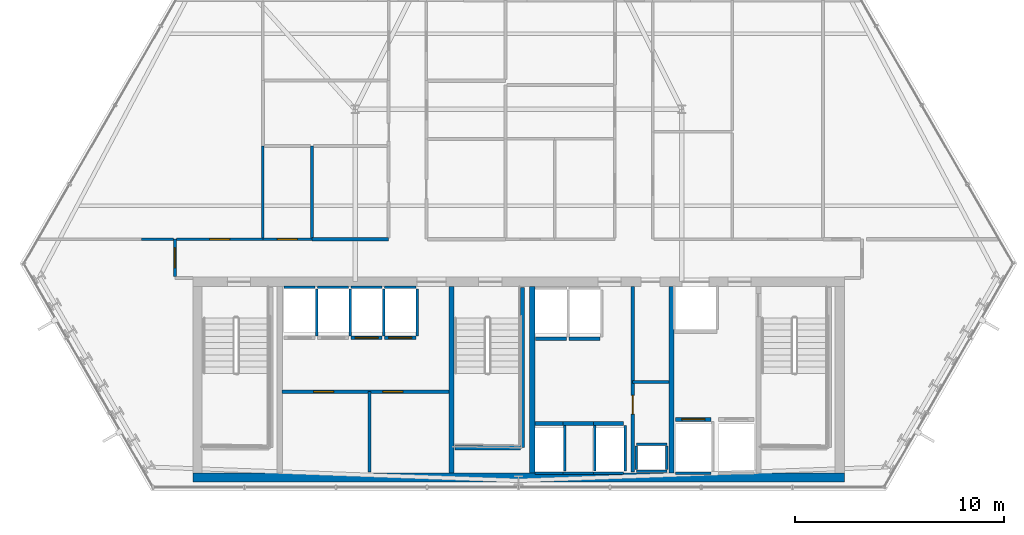
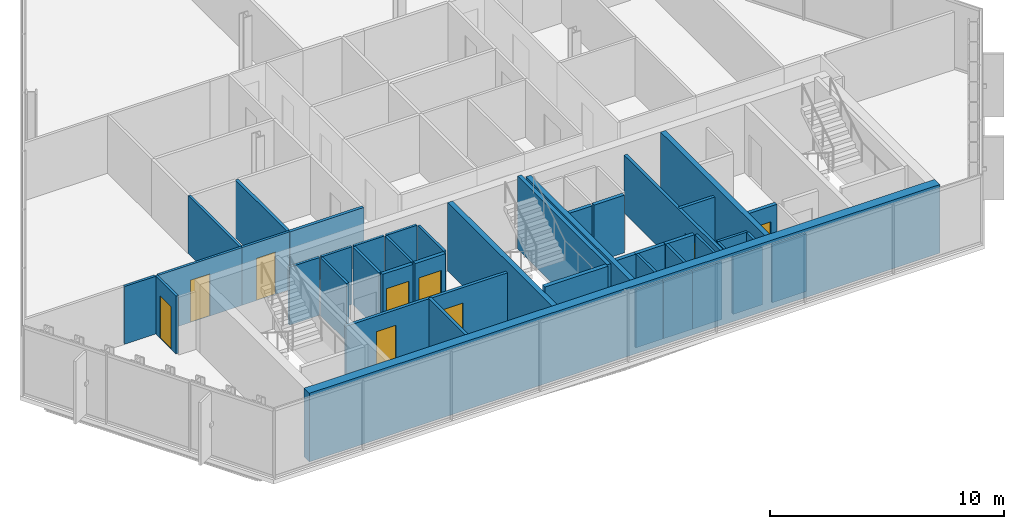
# One storey, part 25 of 32: 44 walls, 9 doors, 9 openings.
"""IFC4 building model written with IfcOpenShell, lengths in metres."""

from ifc_helpers import new_model, si_unit, direction, frame, frame_2d, origin, place, context, subcontext, project, spatial, rectangle, extrude, material, layer, layer_set, type_object, element, fill, save


model = new_model("IFC4")

# Units and contexts
model_context = context("Model", 3, precision=1e-05, world=origin(), true_north=direction((0.0, 1.0)))
body_context = subcontext(model_context, "Body", "Model", "MODEL_VIEW")
ifc_project = project(units=[si_unit("LENGTHUNIT", "METRE"), si_unit("AREAUNIT", "SQUARE_METRE"), si_unit("VOLUMEUNIT", "CUBIC_METRE"), si_unit("PLANEANGLEUNIT", "RADIAN"), si_unit("MASSUNIT", "GRAM", prefix="KILO")], contexts=[model_context])

# Site, building, storey
site_placement = place(None, origin())
site = spatial("IfcSite", under=ifc_project, at=site_placement, CompositionType="ELEMENT")
building_placement = place(site_placement, origin())
building = spatial("IfcBuilding", under=site, at=building_placement, Name="Ndaravel Arena Tower", CompositionType="ELEMENT")
storey_placement = place(building_placement, frame((0.0, 0.0, 130.800048828125)))
storey = spatial("IfcBuildingStorey", under=building, at=storey_placement, Name="L30", CompositionType="ELEMENT", Elevation=130.800048828125)

# Wall, opening, door
ifc_material_1 = material(Name="Gypsum", Category="gypsum")
ifc_layer_1 = layer(ifc_material_1, 0.14990234375)
ifc_layer_set_1 = layer_set([ifc_layer_1], Name="Gypsum")
wall_type_1 = type_object("IfcWallType", Name="WALL-COMP-150", PredefinedType="PARTITIONING", material=ifc_layer_set_1)
wall_1_placement = place(storey_placement, frame((47.449951171875, 5.89990234375, 0.0), z_axis=(0.0, 0.0, 1.0), x_axis=(0.0, 1.0, 0.0)))
wall_1 = element("IfcWall", 1, at=wall_1_placement, inside=storey, type_object=wall_type_1, Name="L30 Core Riser Bay Partition", PredefinedType="PARTITIONING", context=body_context, shape_type="SweptSolid", body=[
    extrude(rectangle(XDim=8.85009765625, YDim=0.14990234375, at=frame_2d((4.425048828125, 0.0))), origin(), (0.0, 0.0, 1.0), 3.010498046875),
])
opening_1_placement = place(wall_1_placement, frame((2.75, 0.0, 0.0)))
opening_1 = element("IfcOpeningElement", 2, at=opening_1_placement, cuts=wall_1, Name="Opening RD-01", PredefinedType="OPENING", context=body_context, shape_type="SweptSolid", body=[
    extrude(rectangle(XDim=0.89990234375, YDim=2.10009765625, at=frame_2d((0.449951171875, 1.050048828125))), frame((0.0, 0.074951171875, 0.0), z_axis=(0.0, -1.0, 0.0), x_axis=(1.0, 0.0, 0.0)), (0.0, 0.0, 1.0), 0.14990234375),
])
ifc_material_2 = material(Name="Steel S355", Category="steel")
door_type_1 = type_object("IfcDoorType", Name="DT-08-RISER-900", OperationType="SINGLE_SWING_LEFT", PredefinedType="DOOR", material=ifc_material_2)
door_1_placement = place(opening_1_placement, origin())
door_1 = element("IfcDoor", 3, at=door_1_placement, inside=storey, type_object=door_type_1, Name="L30 Electrical Riser Door", OperationType="SINGLE_SWING_RIGHT", OverallHeight=2.10009765625, OverallWidth=0.89990234375, PredefinedType="DOOR", context=body_context, shape_type="SweptSolid", body=[
    extrude(rectangle(XDim=0.89990234375, YDim=2.10009765625, at=frame_2d((0.449951171875, 1.050048828125))), frame((0.0, 0.02490234375, 0.0), z_axis=(0.0, -1.0, 0.0), x_axis=(1.0, 0.0, 0.0)), (0.0, 0.0, 1.0), 0.050048828125),
])
fill(opening_1, door_1)

# Wall
wall_2_placement = place(storey_placement, frame((47.449951171875, 10.179931640625, 0.0), z_axis=(0.0, 0.0, 1.0), x_axis=(1.0, 0.0, 0.0)))
element("IfcWall", 4, at=wall_2_placement, inside=storey, type_object=wall_type_1, Name="L30 Core Riser Divider 1", PredefinedType="PARTITIONING", context=body_context, shape_type="SweptSolid", body=[
    extrude(rectangle(XDim=1.72998046875, YDim=0.14990234375, at=frame_2d((0.864990234375, 0.0))), origin(), (0.0, 0.0, 1.0), 3.010498046875),
])

# Wall, openings, doors
wall_3_placement = place(storey_placement, frame((30.719970703125, 9.719970703125, 0.0), z_axis=(0.0, 0.0, 1.0), x_axis=(1.0, 0.0, 0.0)))
wall_3 = element("IfcWall", 5, at=wall_3_placement, inside=storey, type_object=wall_type_1, Name="L30 Reclaimed Shaft Partition", PredefinedType="PARTITIONING", context=body_context, shape_type="SweptSolid", body=[
    extrude(rectangle(XDim=7.9599609375, YDim=0.14990234375, at=frame_2d((3.97998046875, 0.0))), origin(), (0.0, 0.0, 1.0), 3.010498046875),
])
opening_2_placement = place(wall_3_placement, frame((1.5, 0.0, 0.0)))
opening_2 = element("IfcOpeningElement", 6, at=opening_2_placement, cuts=wall_3, Name="Opening FD-03", PredefinedType="OPENING", context=body_context, shape_type="SweptSolid", body=[
    extrude(rectangle(XDim=0.949951171875, YDim=2.199951171875, at=frame_2d((0.47509765625, 1.10009765625))), frame((0.0, 0.074951171875, 0.0), z_axis=(0.0, -1.0, 0.0), x_axis=(1.0, 0.0, 0.0)), (0.0, 0.0, 1.0), 0.14990234375),
])
opening_3_placement = place(wall_3_placement, frame((4.81005859375, 0.0, 0.0)))
opening_3 = element("IfcOpeningElement", 7, at=opening_3_placement, cuts=wall_3, Name="Opening FD-03", PredefinedType="OPENING", context=body_context, shape_type="SweptSolid", body=[
    extrude(rectangle(XDim=0.949951171875, YDim=2.199951171875, at=frame_2d((0.47509765625, 1.10009765625))), frame((0.0, 0.074951171875, 0.0), z_axis=(0.0, -1.0, 0.0), x_axis=(1.0, 0.0, 0.0)), (0.0, 0.0, 1.0), 0.14990234375),
])
ifc_material_3 = material(Name="Steel S355", Category="steel")
door_type_2 = type_object("IfcDoorType", Name="DT-11-CORE-950", OperationType="SINGLE_SWING_LEFT", PredefinedType="DOOR", material=ifc_material_3)
door_2_placement = place(opening_2_placement, origin())
door_2 = element("IfcDoor", 8, at=door_2_placement, inside=storey, type_object=door_type_2, Name="L30 ICT Server Room Door", OperationType="SINGLE_SWING_LEFT", OverallHeight=2.199951171875, OverallWidth=0.949951171875, PredefinedType="DOOR", context=body_context, shape_type="SweptSolid", body=[
    extrude(rectangle(XDim=0.949951171875, YDim=2.199951171875, at=frame_2d((0.47509765625, 1.10009765625))), frame((0.0, 0.02490234375, 0.0), z_axis=(0.0, -1.0, 0.0), x_axis=(1.0, 0.0, 0.0)), (0.0, 0.0, 1.0), 0.050048828125),
])
fill(opening_2, door_2)
door_3_placement = place(opening_3_placement, origin())
door_3 = element("IfcDoor", 9, at=door_3_placement, inside=storey, type_object=door_type_2, Name="L30 Core Archive Room Door", OperationType="SINGLE_SWING_RIGHT", OverallHeight=2.199951171875, OverallWidth=0.949951171875, PredefinedType="DOOR", context=body_context, shape_type="SweptSolid", body=[
    extrude(rectangle(XDim=0.949951171875, YDim=2.199951171875, at=frame_2d((0.47509765625, 1.10009765625))), frame((0.0, 0.02490234375, 0.0), z_axis=(0.0, -1.0, 0.0), x_axis=(1.0, 0.0, 0.0)), (0.0, 0.0, 1.0), 0.050048828125),
])
fill(opening_3, door_3)

# Walls
wall_4_placement = place(storey_placement, frame((34.8798828125, 5.89990234375, 0.0), z_axis=(0.0, 0.0, 1.0), x_axis=(0.0, 1.0, 0.0)))
element("IfcWall", 10, at=wall_4_placement, inside=storey, type_object=wall_type_1, Name="L30 Reclaimed Bay Divider", PredefinedType="PARTITIONING", context=body_context, shape_type="SweptSolid", body=[
    extrude(rectangle(XDim=3.820068359375, YDim=0.14990234375, at=frame_2d((1.91015625, 0.0))), origin(), (0.0, 0.0, 1.0), 3.010498046875),
])
ifc_material_4 = material(Name="Concrete C60/75", Category="concrete")
ifc_layer_2 = layer(ifc_material_4, 0.25)
ifc_layer_set_2 = layer_set([ifc_layer_2], Name="Concrete C60/75")
wall_type_2 = type_object("IfcWallType", Name="WALL-CORE-250", PredefinedType="SOLIDWALL", material=ifc_layer_set_2)
for number, where, z_axis, x_axis, name in (
    (11, (38.800048828125, 5.85009765625, 0.0), (0.0, 0.0, 1.0), (0.0, 1.0, 0.0), "L30 Core Web Shear Wall 2"),
    (12, (42.64990234375, 5.85009765625, 0.0), (0.0, 0.0, 1.0), (0.0, 1.0, 0.0), "L30 Core Web Shear Wall 3"),
    (13, (49.300048828125, 5.85009765625, 0.0), (0.0, 0.0, 1.0), (0.0, 1.0, 0.0), "L30 Core Web Shear Wall 4"),
):
    element("IfcWall", number, at=place(storey_placement, frame(where, z_axis=z_axis, x_axis=x_axis)), inside=storey, type_object=wall_type_2, Name=name, PredefinedType="SOLIDWALL", context=body_context, shape_type="SweptSolid", body=[
        extrude(rectangle(XDim=8.89990234375, YDim=0.25, at=frame_2d((4.449951171875, 0.0))), origin(), (0.0, 0.0, 1.0), 3.579833984375),
    ])
ifc_material_5 = material(Name="Concrete C60/75", Category="concrete")
ifc_layer_3 = layer(ifc_material_5, 0.449951171875)
ifc_layer_set_3 = layer_set([ifc_layer_3], Name="Concrete C60/75")
wall_type_3 = type_object("IfcWallType", Name="WALL-CORE-450", PredefinedType="SOLIDWALL", material=ifc_layer_set_3)
wall_5_placement = place(storey_placement, frame((26.449951171875, 5.625, 0.0), z_axis=(0.0, 0.0, 1.0), x_axis=(1.0, 0.0, 0.0)))
element("IfcWall", 14, at=wall_5_placement, inside=storey, type_object=wall_type_3, Name="L30 Core South Shear Wall", PredefinedType="SOLIDWALL", context=body_context, shape_type="SweptSolid", body=[
    extrude(rectangle(XDim=31.10009765625, YDim=0.449951171875, at=frame_2d((15.550048828125, 0.0))), origin(), (0.0, 0.0, 1.0), 3.579833984375),
])

# Wall, opening, door
ifc_material_6 = material(Name="Gypsum", Category="gypsum")
ifc_layer_4 = layer(ifc_material_6, 0.125)
ifc_layer_set_4 = layer_set([ifc_layer_4], Name="Gypsum")
wall_type_4 = type_object("IfcWallType", Name="WALL-PART-125", PredefinedType="PARTITIONING", material=ifc_layer_set_4)
wall_6_placement = place(storey_placement, frame((25.60009765625, 15.215087890625, 0.0), z_axis=(0.0, 0.0, 1.0), x_axis=(0.0, 1.0, 0.0)))
wall_6 = element("IfcWall", 15, at=wall_6_placement, inside=storey, type_object=wall_type_4, Name="L30 Interior Partition 004", PredefinedType="PARTITIONING", context=body_context, shape_type="SweptSolid", body=[
    extrude(rectangle(XDim=1.784912109375, YDim=0.125, at=frame_2d((0.892578125, 0.0))), origin(), (0.0, 0.0, 1.0), 3.010498046875),
])
opening_4_placement = place(wall_6_placement, frame((0.41748046875, 0.0, 0.0)))
opening_4 = element("IfcOpeningElement", 16, at=opening_4_placement, cuts=wall_6, Name="Opening ID-01", PredefinedType="OPENING", context=body_context, shape_type="SweptSolid", body=[
    extrude(rectangle(XDim=0.949951171875, YDim=2.199951171875, at=frame_2d((0.47509765625, 1.10009765625))), frame((0.0, 0.0625, 0.0), z_axis=(0.0, -1.0, 0.0), x_axis=(1.0, 0.0, 0.0)), (0.0, 0.0, 1.0), 0.125),
])
ifc_material_7 = material(Name="Timber", Category="wood")
door_type_3 = type_object("IfcDoorType", Name="DT-03-OFFICE-950", OperationType="SINGLE_SWING_LEFT", PredefinedType="DOOR", material=ifc_material_7)
door_4_placement = place(opening_4_placement, origin())
door_4 = element("IfcDoor", 17, at=door_4_placement, inside=storey, type_object=door_type_3, Name="L30 Executive Boardroom Door", OperationType="SINGLE_SWING_LEFT", OverallHeight=2.199951171875, OverallWidth=0.949951171875, PredefinedType="DOOR", context=body_context, shape_type="SweptSolid", body=[
    extrude(rectangle(XDim=0.949951171875, YDim=2.199951171875, at=frame_2d((0.47509765625, 1.10009765625))), frame((0.0, 0.02490234375, 0.0), z_axis=(0.0, -1.0, 0.0), x_axis=(1.0, 0.0, 0.0)), (0.0, 0.0, 1.0), 0.050048828125),
])
fill(opening_4, door_4)

wall_7_placement = place(storey_placement, frame((25.6650390625, 17.0, 0.0), z_axis=(0.0, 0.0, 1.0), x_axis=(1.0, 0.0, 0.0)))
wall_7 = element("IfcWall", 18, at=wall_7_placement, inside=storey, type_object=wall_type_4, Name="L30 Interior Partition 005", PredefinedType="PARTITIONING", context=body_context, shape_type="SweptSolid", body=[
    extrude(rectangle(XDim=4.135009765625, YDim=0.125, at=frame_2d((2.0673828125, 0.0))), origin(), (0.0, 0.0, 1.0), 3.010498046875),
])
opening_5_placement = place(wall_7_placement, frame((1.592529296875, 0.0, 0.0)))
opening_5 = element("IfcOpeningElement", 19, at=opening_5_placement, cuts=wall_7, Name="Opening ID-01", PredefinedType="OPENING", context=body_context, shape_type="SweptSolid", body=[
    extrude(rectangle(XDim=0.949951171875, YDim=2.199951171875, at=frame_2d((0.47509765625, 1.10009765625))), frame((0.0, 0.0625, 0.0), z_axis=(0.0, -1.0, 0.0), x_axis=(1.0, 0.0, 0.0)), (0.0, 0.0, 1.0), 0.125),
])
door_5_placement = place(opening_5_placement, origin())
door_5 = element("IfcDoor", 20, at=door_5_placement, inside=storey, type_object=door_type_3, Name="L30 Barista Galley 3 Door", OperationType="SINGLE_SWING_RIGHT", OverallHeight=2.199951171875, OverallWidth=0.949951171875, PredefinedType="DOOR", context=body_context, shape_type="SweptSolid", body=[
    extrude(rectangle(XDim=0.949951171875, YDim=2.199951171875, at=frame_2d((0.47509765625, 1.10009765625))), frame((0.0, 0.02490234375, 0.0), z_axis=(0.0, -1.0, 0.0), x_axis=(1.0, 0.0, 0.0)), (0.0, 0.0, 1.0), 0.050048828125),
])
fill(opening_5, door_5)

wall_8_placement = place(storey_placement, frame((29.800048828125, 17.0, 0.0), z_axis=(0.0, 0.0, 1.0), x_axis=(1.0, 0.0, 0.0)))
wall_8 = element("IfcWall", 21, at=wall_8_placement, inside=storey, type_object=wall_type_4, Name="L30 Interior Partition 006", PredefinedType="PARTITIONING", context=body_context, shape_type="SweptSolid", body=[
    extrude(rectangle(XDim=2.33984375, YDim=0.125, at=frame_2d((1.169921875, 0.0))), origin(), (0.0, 0.0, 1.0), 3.010498046875),
])
opening_6_placement = place(wall_8_placement, frame((0.695068359375, 0.0, 0.0)))
opening_6 = element("IfcOpeningElement", 22, at=opening_6_placement, cuts=wall_8, Name="Opening ID-01", PredefinedType="OPENING", context=body_context, shape_type="SweptSolid", body=[
    extrude(rectangle(XDim=0.949951171875, YDim=2.199951171875, at=frame_2d((0.47509765625, 1.10009765625))), frame((0.0, 0.0625, 0.0), z_axis=(0.0, -1.0, 0.0), x_axis=(1.0, 0.0, 0.0)), (0.0, 0.0, 1.0), 0.125),
])
door_6_placement = place(opening_6_placement, origin())
door_6 = element("IfcDoor", 23, at=door_6_placement, inside=storey, type_object=door_type_3, Name="L30 Staff Wellness Clinic Door", OperationType="SINGLE_SWING_LEFT", OverallHeight=2.199951171875, OverallWidth=0.949951171875, PredefinedType="DOOR", context=body_context, shape_type="SweptSolid", body=[
    extrude(rectangle(XDim=0.949951171875, YDim=2.199951171875, at=frame_2d((0.47509765625, 1.10009765625))), frame((0.0, 0.02490234375, 0.0), z_axis=(0.0, -1.0, 0.0), x_axis=(1.0, 0.0, 0.0)), (0.0, 0.0, 1.0), 0.050048828125),
])
fill(opening_6, door_6)

# Walls
wall_9_placement = place(storey_placement, frame((24.0, 17.0, 0.0), z_axis=(0.0, 0.0, 1.0), x_axis=(1.0, 0.0, 0.0)))
element("IfcWall", 24, at=wall_9_placement, inside=storey, type_object=wall_type_4, Name="L30 Interior Partition 028", PredefinedType="PARTITIONING", context=body_context, shape_type="SweptSolid", body=[
    extrude(rectangle(XDim=1.534912109375, YDim=0.125, at=frame_2d((0.767578125, 0.0))), origin(), (0.0, 0.0, 1.0), 3.010498046875),
])
wall_10_placement = place(storey_placement, frame((29.800048828125, 17.06494140625, 0.0), z_axis=(0.0, 0.0, 1.0), x_axis=(0.0, 1.0, 0.0)))
element("IfcWall", 25, at=wall_10_placement, inside=storey, type_object=wall_type_4, Name="L30 Interior Partition 031", PredefinedType="PARTITIONING", context=body_context, shape_type="SweptSolid", body=[
    extrude(rectangle(XDim=4.381103515625, YDim=0.125, at=frame_2d((2.1904296875, 0.0))), origin(), (0.0, 0.0, 1.0), 3.010498046875),
])
ifc_material_8 = material(Name="Concrete C40/50", Category="concrete")
ifc_layer_5 = layer(ifc_material_8, 0.1201171875)
ifc_layer_set_5 = layer_set([ifc_layer_5], Name="Concrete C40/50")
wall_type_5 = type_object("IfcWallType", Name="WALL-SHAFT-120", PredefinedType="SOLIDWALL", material=ifc_layer_set_5)
for number, where, z_axis, x_axis, name in (
    (26, (47.6201171875, 5.919921875, 0.0), (0.0, 0.0, 1.0), (1.0, 0.0, 0.0), "L30 MEP Riser Shaft S Wall"),
    (27, (47.6201171875, 7.219970703125, 0.0), (0.0, 0.0, 1.0), (1.0, 0.0, 0.0), "L30 MEP Riser Shaft N Wall"),
):
    element("IfcWall", number, at=place(storey_placement, frame(where, z_axis=z_axis, x_axis=x_axis)), inside=storey, type_object=wall_type_5, Name=name, PredefinedType="SOLIDWALL", context=body_context, shape_type="SweptSolid", body=[
        extrude(rectangle(XDim=1.4599609375, YDim=0.1201171875, at=frame_2d((0.72998046875, 0.0))), origin(), (0.0, 0.0, 1.0), 3.010498046875),
    ])
for number, where, z_axis, x_axis, name in (
    (28, (47.6201171875, 6.0, 0.0), (0.0, 0.0, 1.0), (0.0, 1.0, 0.0), "L30 MEP Riser Shaft W Wall"),
    (29, (49.080078125, 6.0, 0.0), (0.0, 0.0, 1.0), (0.0, 1.0, 0.0), "L30 MEP Riser Shaft E Wall"),
):
    element("IfcWall", number, at=place(storey_placement, frame(where, z_axis=z_axis, x_axis=x_axis)), inside=storey, type_object=wall_type_5, Name=name, PredefinedType="SOLIDWALL", context=body_context, shape_type="SweptSolid", body=[
        extrude(rectangle(XDim=1.139892578125, YDim=0.1201171875, at=frame_2d((0.56982421875, 0.0))), origin(), (0.0, 0.0, 1.0), 3.010498046875),
    ])
wall_11_placement = place(storey_placement, frame((30.804931640625, 14.7099609375, 0.0), z_axis=(0.0, 0.0, 1.0), x_axis=(1.0, 0.0, 0.0)))
element("IfcWall", 30, at=wall_11_placement, inside=storey, type_object=wall_type_5, Name="L30 PL-M1 Shaft Rear Wall", PredefinedType="SOLIDWALL", context=body_context, shape_type="SweptSolid", body=[
    extrude(rectangle(XDim=1.489990234375, YDim=0.1201171875, at=frame_2d((0.7451171875, 0.0))), origin(), (0.0, 0.0, 1.0), 3.010498046875),
])
wall_12_placement = place(storey_placement, frame((32.375, 12.389892578125, 0.0), z_axis=(0.0, 0.0, 1.0), x_axis=(0.0, 1.0, 0.0)))
element("IfcWall", 31, at=wall_12_placement, inside=storey, type_object=wall_type_5, Name="L30 PL-M1 Shaft Side R Wall", PredefinedType="SOLIDWALL", context=body_context, shape_type="SweptSolid", body=[
    extrude(rectangle(XDim=2.230224609375, YDim=0.1201171875, at=frame_2d((1.115234375, 0.0))), origin(), (0.0, 0.0, 1.0), 3.010498046875),
])
wall_13_placement = place(storey_placement, frame((32.405029296875, 14.7099609375, 0.0), z_axis=(0.0, 0.0, 1.0), x_axis=(1.0, 0.0, 0.0)))
element("IfcWall", 32, at=wall_13_placement, inside=storey, type_object=wall_type_5, Name="L30 PL-M2 Shaft Rear Wall", PredefinedType="SOLIDWALL", context=body_context, shape_type="SweptSolid", body=[
    extrude(rectangle(XDim=1.489990234375, YDim=0.1201171875, at=frame_2d((0.7451171875, 0.0))), origin(), (0.0, 0.0, 1.0), 3.010498046875),
])
wall_14_placement = place(storey_placement, frame((33.97509765625, 12.389892578125, 0.0), z_axis=(0.0, 0.0, 1.0), x_axis=(0.0, 1.0, 0.0)))
element("IfcWall", 33, at=wall_14_placement, inside=storey, type_object=wall_type_5, Name="L30 PL-M2 Shaft Side R Wall", PredefinedType="SOLIDWALL", context=body_context, shape_type="SweptSolid", body=[
    extrude(rectangle(XDim=2.230224609375, YDim=0.1201171875, at=frame_2d((1.115234375, 0.0))), origin(), (0.0, 0.0, 1.0), 3.010498046875),
])
wall_15_placement = place(storey_placement, frame((34.0048828125, 14.7099609375, 0.0), z_axis=(0.0, 0.0, 1.0), x_axis=(1.0, 0.0, 0.0)))
element("IfcWall", 34, at=wall_15_placement, inside=storey, type_object=wall_type_5, Name="L30 PL-M3 Shaft Rear Wall", PredefinedType="SOLIDWALL", context=body_context, shape_type="SweptSolid", body=[
    extrude(rectangle(XDim=1.490234375, YDim=0.1201171875, at=frame_2d((0.7451171875, 0.0))), origin(), (0.0, 0.0, 1.0), 3.010498046875),
])
wall_16_placement = place(storey_placement, frame((35.574951171875, 12.389892578125, 0.0), z_axis=(0.0, 0.0, 1.0), x_axis=(0.0, 1.0, 0.0)))
element("IfcWall", 35, at=wall_16_placement, inside=storey, type_object=wall_type_5, Name="L30 PL-M3 Shaft Side R Wall", PredefinedType="SOLIDWALL", context=body_context, shape_type="SweptSolid", body=[
    extrude(rectangle(XDim=2.230224609375, YDim=0.1201171875, at=frame_2d((1.115234375, 0.0))), origin(), (0.0, 0.0, 1.0), 3.010498046875),
])
wall_17_placement = place(storey_placement, frame((35.60498046875, 14.7099609375, 0.0), z_axis=(0.0, 0.0, 1.0), x_axis=(1.0, 0.0, 0.0)))
element("IfcWall", 36, at=wall_17_placement, inside=storey, type_object=wall_type_5, Name="L30 PL-M4 Shaft Rear Wall", PredefinedType="SOLIDWALL", context=body_context, shape_type="SweptSolid", body=[
    extrude(rectangle(XDim=1.489990234375, YDim=0.1201171875, at=frame_2d((0.7451171875, 0.0))), origin(), (0.0, 0.0, 1.0), 3.010498046875),
])
wall_18_placement = place(storey_placement, frame((37.175048828125, 12.389892578125, 0.0), z_axis=(0.0, 0.0, 1.0), x_axis=(0.0, 1.0, 0.0)))
element("IfcWall", 37, at=wall_18_placement, inside=storey, type_object=wall_type_5, Name="L30 PL-M4 Shaft Side R Wall", PredefinedType="SOLIDWALL", context=body_context, shape_type="SweptSolid", body=[
    extrude(rectangle(XDim=2.230224609375, YDim=0.1201171875, at=frame_2d((1.115234375, 0.0))), origin(), (0.0, 0.0, 1.0), 3.010498046875),
])
wall_19_placement = place(storey_placement, frame((42.780029296875, 5.840087890625, 0.0), z_axis=(0.0, 0.0, 1.0), x_axis=(1.0, 0.0, 0.0)))
element("IfcWall", 38, at=wall_19_placement, inside=storey, type_object=wall_type_5, Name="L30 PL-H1 Shaft Rear Wall", PredefinedType="SOLIDWALL", context=body_context, shape_type="SweptSolid", body=[
    extrude(rectangle(XDim=1.340087890625, YDim=0.1201171875, at=frame_2d((0.669921875, 0.0))), origin(), (0.0, 0.0, 1.0), 3.010498046875),
])
wall_20_placement = place(storey_placement, frame((44.199951171875, 5.929931640625, 0.0), z_axis=(0.0, 0.0, 1.0), x_axis=(0.0, 1.0, 0.0)))
element("IfcWall", 39, at=wall_20_placement, inside=storey, type_object=wall_type_5, Name="L30 PL-H1 Shaft Side R Wall", PredefinedType="SOLIDWALL", context=body_context, shape_type="SweptSolid", body=[
    extrude(rectangle(XDim=2.18017578125, YDim=0.1201171875, at=frame_2d((1.090087890625, 0.0))), origin(), (0.0, 0.0, 1.0), 3.010498046875),
])
wall_21_placement = place(storey_placement, frame((44.1298828125, 5.840087890625, 0.0), z_axis=(0.0, 0.0, 1.0), x_axis=(1.0, 0.0, 0.0)))
element("IfcWall", 40, at=wall_21_placement, inside=storey, type_object=wall_type_5, Name="L30 PL-H2 Shaft Rear Wall", PredefinedType="SOLIDWALL", context=body_context, shape_type="SweptSolid", body=[
    extrude(rectangle(XDim=1.440185546875, YDim=0.1201171875, at=frame_2d((0.72021484375, 0.0))), origin(), (0.0, 0.0, 1.0), 3.010498046875),
])
wall_22_placement = place(storey_placement, frame((45.64990234375, 5.929931640625, 0.0), z_axis=(0.0, 0.0, 1.0), x_axis=(0.0, 1.0, 0.0)))
element("IfcWall", 41, at=wall_22_placement, inside=storey, type_object=wall_type_5, Name="L30 PL-H2 Shaft Side R Wall", PredefinedType="SOLIDWALL", context=body_context, shape_type="SweptSolid", body=[
    extrude(rectangle(XDim=2.18017578125, YDim=0.1201171875, at=frame_2d((1.090087890625, 0.0))), origin(), (0.0, 0.0, 1.0), 3.010498046875),
])
wall_23_placement = place(storey_placement, frame((45.580078125, 5.840087890625, 0.0), z_axis=(0.0, 0.0, 1.0), x_axis=(1.0, 0.0, 0.0)))
element("IfcWall", 42, at=wall_23_placement, inside=storey, type_object=wall_type_5, Name="L30 PL-H3 Shaft Rear Wall", PredefinedType="SOLIDWALL", context=body_context, shape_type="SweptSolid", body=[
    extrude(rectangle(XDim=1.43994140625, YDim=0.1201171875, at=frame_2d((0.719970703125, 0.0))), origin(), (0.0, 0.0, 1.0), 3.010498046875),
])
wall_24_placement = place(storey_placement, frame((47.10009765625, 5.929931640625, 0.0), z_axis=(0.0, 0.0, 1.0), x_axis=(0.0, 1.0, 0.0)))
element("IfcWall", 43, at=wall_24_placement, inside=storey, type_object=wall_type_5, Name="L30 PL-H3 Shaft Side R Wall", PredefinedType="SOLIDWALL", context=body_context, shape_type="SweptSolid", body=[
    extrude(rectangle(XDim=2.18017578125, YDim=0.1201171875, at=frame_2d((1.090087890625, 0.0))), origin(), (0.0, 0.0, 1.0), 3.010498046875),
])
wall_25_placement = place(storey_placement, frame((49.5048828125, 5.840087890625, 0.0), z_axis=(0.0, 0.0, 1.0), x_axis=(1.0, 0.0, 0.0)))
element("IfcWall", 44, at=wall_25_placement, inside=storey, type_object=wall_type_5, Name="L30 FFL-1 Shaft Rear Wall", PredefinedType="SOLIDWALL", context=body_context, shape_type="SweptSolid", body=[
    extrude(rectangle(XDim=1.690185546875, YDim=0.1201171875, at=frame_2d((0.84521484375, 0.0))), origin(), (0.0, 0.0, 1.0), 3.010498046875),
])
ifc_material_9 = material(Name="Concrete C40/50", Category="concrete")
ifc_layer_6 = layer(ifc_material_9, 0.199951171875)
ifc_layer_set_6 = layer_set([ifc_layer_6], Name="Concrete C40/50")
wall_type_6 = type_object("IfcWallType", Name="WALL-SHAFT-200", PredefinedType="SOLIDWALL", material=ifc_layer_set_6)
wall_26_placement = place(storey_placement, frame((42.18994140625, 14.699951171875, 0.0), z_axis=(0.0, 0.0, 1.0), x_axis=(0.0, -1.0, 0.0)))
element("IfcWall", 45, at=wall_26_placement, inside=storey, type_object=wall_type_6, Name="L30 ST-2 Structural Shaft Wall Right", PredefinedType="SOLIDWALL", context=body_context, shape_type="SweptSolid", body=[
    extrude(rectangle(XDim=7.64990234375, YDim=0.199951171875, at=frame_2d((3.824951171875, 0.0))), origin(), (0.0, 0.0, 1.0), 3.800048828125),
])
wall_27_placement = place(storey_placement, frame((38.969970703125, 7.050048828125, 0.0), z_axis=(0.0, 0.0, 1.0), x_axis=(1.0, 0.0, 0.0)))
element("IfcWall", 46, at=wall_27_placement, inside=storey, type_object=wall_type_6, Name="L30 ST-2 Structural Shaft Wall Far", PredefinedType="SOLIDWALL", context=body_context, shape_type="SweptSolid", body=[
    extrude(rectangle(XDim=3.114990234375, YDim=0.199951171875, at=frame_2d((1.5576171875, 0.0))), origin(), (0.0, 0.0, 1.0), 3.800048828125),
])

# Wall, opening, door
wall_28_placement = place(storey_placement, frame((34.0048828125, 12.300048828125, 0.0), z_axis=(0.0, 0.0, 1.0), x_axis=(1.0, 0.0, 0.0)))
wall_28 = element("IfcWall", 47, at=wall_28_placement, inside=storey, type_object=wall_type_6, Name="L30 PL-M3 Shaft Landing Wall", PredefinedType="SOLIDWALL", context=body_context, shape_type="SweptSolid", body=[
    extrude(rectangle(XDim=1.490234375, YDim=0.179931640625, at=frame_2d((0.7451171875, 0.0))), origin(), (0.0, 0.0, 1.0), 3.010498046875),
])
opening_7_placement = place(wall_28_placement, frame((0.195068359375, 0.0, 0.0)))
opening_7 = element("IfcOpeningElement", 48, at=opening_7_placement, cuts=wall_28, Name="Opening LD-01", PredefinedType="OPENING", context=body_context, shape_type="SweptSolid", body=[
    extrude(rectangle(XDim=1.10009765625, YDim=2.199951171875, at=frame_2d((0.550048828125, 1.10009765625))), frame((0.0, 0.08984375, 0.0), z_axis=(0.0, -1.0, 0.0), x_axis=(1.0, 0.0, 0.0)), (0.0, 0.0, 1.0), 0.179931640625),
])
ifc_material_10 = material(Name="Steel S355", Category="steel")
door_type_4 = type_object("IfcDoorType", Name="DT-06-LIFT-1100", OperationType="SLIDING_TO_LEFT", PredefinedType="DOOR", material=ifc_material_10)
door_7_placement = place(opening_7_placement, origin())
door_7 = element("IfcDoor", 49, at=door_7_placement, inside=storey, type_object=door_type_4, Name="L30 Lift PL-M3 Sliding Landing Door", OperationType="SLIDING_TO_LEFT", OverallHeight=2.199951171875, OverallWidth=1.10009765625, PredefinedType="DOOR", context=body_context, shape_type="SweptSolid", body=[
    extrude(rectangle(XDim=1.10009765625, YDim=2.199951171875, at=frame_2d((0.550048828125, 1.10009765625))), frame((0.0, 0.02490234375, 0.0), z_axis=(0.0, -1.0, 0.0), x_axis=(1.0, 0.0, 0.0)), (0.0, 0.0, 1.0), 0.050048828125),
])
fill(opening_7, door_7)

wall_29_placement = place(storey_placement, frame((35.60498046875, 12.300048828125, 0.0), z_axis=(0.0, 0.0, 1.0), x_axis=(1.0, 0.0, 0.0)))
wall_29 = element("IfcWall", 50, at=wall_29_placement, inside=storey, type_object=wall_type_6, Name="L30 PL-M4 Shaft Landing Wall", PredefinedType="SOLIDWALL", context=body_context, shape_type="SweptSolid", body=[
    extrude(rectangle(XDim=1.489990234375, YDim=0.179931640625, at=frame_2d((0.7451171875, 0.0))), origin(), (0.0, 0.0, 1.0), 3.010498046875),
])
opening_8_placement = place(wall_29_placement, frame((0.195068359375, 0.0, 0.0)))
opening_8 = element("IfcOpeningElement", 51, at=opening_8_placement, cuts=wall_29, Name="Opening LD-01", PredefinedType="OPENING", context=body_context, shape_type="SweptSolid", body=[
    extrude(rectangle(XDim=1.10009765625, YDim=2.199951171875, at=frame_2d((0.550048828125, 1.10009765625))), frame((0.0, 0.08984375, 0.0), z_axis=(0.0, -1.0, 0.0), x_axis=(1.0, 0.0, 0.0)), (0.0, 0.0, 1.0), 0.179931640625),
])
door_8_placement = place(opening_8_placement, origin())
door_8 = element("IfcDoor", 52, at=door_8_placement, inside=storey, type_object=door_type_4, Name="L30 Lift PL-M4 Sliding Landing Door", OperationType="SLIDING_TO_LEFT", OverallHeight=2.199951171875, OverallWidth=1.10009765625, PredefinedType="DOOR", context=body_context, shape_type="SweptSolid", body=[
    extrude(rectangle(XDim=1.10009765625, YDim=2.199951171875, at=frame_2d((0.550048828125, 1.10009765625))), frame((0.0, 0.02490234375, 0.0), z_axis=(0.0, -1.0, 0.0), x_axis=(1.0, 0.0, 0.0)), (0.0, 0.0, 1.0), 0.050048828125),
])
fill(opening_8, door_8)

# Walls
wall_30_placement = place(storey_placement, frame((42.780029296875, 8.199951171875, 0.0), z_axis=(0.0, 0.0, 1.0), x_axis=(1.0, 0.0, 0.0)))
element("IfcWall", 53, at=wall_30_placement, inside=storey, type_object=wall_type_6, Name="L30 PL-H1 Shaft Landing Wall", PredefinedType="SOLIDWALL", context=body_context, shape_type="SweptSolid", body=[
    extrude(rectangle(XDim=1.340087890625, YDim=0.179931640625, at=frame_2d((0.669921875, 0.0))), origin(), (0.0, 0.0, 1.0), 3.010498046875),
])
wall_31_placement = place(storey_placement, frame((44.1298828125, 8.199951171875, 0.0), z_axis=(0.0, 0.0, 1.0), x_axis=(1.0, 0.0, 0.0)))
element("IfcWall", 54, at=wall_31_placement, inside=storey, type_object=wall_type_6, Name="L30 PL-H2 Shaft Landing Wall", PredefinedType="SOLIDWALL", context=body_context, shape_type="SweptSolid", body=[
    extrude(rectangle(XDim=1.440185546875, YDim=0.179931640625, at=frame_2d((0.72021484375, 0.0))), origin(), (0.0, 0.0, 1.0), 3.010498046875),
])
wall_32_placement = place(storey_placement, frame((45.580078125, 8.199951171875, 0.0), z_axis=(0.0, 0.0, 1.0), x_axis=(1.0, 0.0, 0.0)))
element("IfcWall", 55, at=wall_32_placement, inside=storey, type_object=wall_type_6, Name="L30 PL-H3 Shaft Landing Wall", PredefinedType="SOLIDWALL", context=body_context, shape_type="SweptSolid", body=[
    extrude(rectangle(XDim=1.43994140625, YDim=0.179931640625, at=frame_2d((0.719970703125, 0.0))), origin(), (0.0, 0.0, 1.0), 3.010498046875),
])
for number, where, z_axis, x_axis, name in (
    (56, (42.804931640625, 12.25, 0.0), (0.0, 0.0, 1.0), (1.0, 0.0, 0.0), "L30 PL-OBS1 Shaft Landing Wall"),
    (57, (44.405029296875, 12.25, 0.0), (0.0, 0.0, 1.0), (1.0, 0.0, 0.0), "L30 PL-OBS2 Shaft Landing Wall"),
):
    element("IfcWall", number, at=place(storey_placement, frame(where, z_axis=z_axis, x_axis=x_axis)), inside=storey, type_object=wall_type_6, Name=name, PredefinedType="SOLIDWALL", context=body_context, shape_type="SweptSolid", body=[
        extrude(rectangle(XDim=1.489990234375, YDim=0.179931640625, at=frame_2d((0.7451171875, 0.0))), origin(), (0.0, 0.0, 1.0), 3.010498046875),
    ])

# Wall, opening, door
wall_33_placement = place(storey_placement, frame((49.5048828125, 8.39990234375, 0.0), z_axis=(0.0, 0.0, 1.0), x_axis=(1.0, 0.0, 0.0)))
wall_33 = element("IfcWall", 58, at=wall_33_placement, inside=storey, type_object=wall_type_6, Name="L30 FFL-1 Shaft Landing Wall", PredefinedType="SOLIDWALL", context=body_context, shape_type="SweptSolid", body=[
    extrude(rectangle(XDim=1.690185546875, YDim=0.179931640625, at=frame_2d((0.84521484375, 0.0))), origin(), (0.0, 0.0, 1.0), 3.010498046875),
])
opening_9_placement = place(wall_33_placement, frame((0.294921875, 0.0, 0.0)))
opening_9 = element("IfcOpeningElement", 59, at=opening_9_placement, cuts=wall_33, Name="Opening LD-01", PredefinedType="OPENING", context=body_context, shape_type="SweptSolid", body=[
    extrude(rectangle(XDim=1.10009765625, YDim=2.199951171875, at=frame_2d((0.550048828125, 1.10009765625))), frame((0.0, 0.08984375, 0.0), z_axis=(0.0, -1.0, 0.0), x_axis=(1.0, 0.0, 0.0)), (0.0, 0.0, 1.0), 0.179931640625),
])
door_9_placement = place(opening_9_placement, origin())
door_9 = element("IfcDoor", 60, at=door_9_placement, inside=storey, type_object=door_type_4, Name="L30 Lift FFL-1 Sliding Landing Door", OperationType="SLIDING_TO_LEFT", OverallHeight=2.199951171875, OverallWidth=1.10009765625, PredefinedType="DOOR", context=body_context, shape_type="SweptSolid", body=[
    extrude(rectangle(XDim=1.10009765625, YDim=2.199951171875, at=frame_2d((0.550048828125, 1.10009765625))), frame((0.0, 0.02490234375, 0.0), z_axis=(0.0, -1.0, 0.0), x_axis=(1.0, 0.0, 0.0)), (0.0, 0.0, 1.0), 0.050048828125),
])
fill(opening_9, door_9)

# Walls
ifc_material_11 = material(Name="Masonry", Category="masonry")
ifc_layer_7 = layer(ifc_material_11, 0.14990234375)
ifc_layer_set_7 = layer_set([ifc_layer_7], Name="Masonry")
wall_type_7 = type_object("IfcWallType", Name="WALL-WET-150", PredefinedType="PARTITIONING", material=ifc_layer_set_7)
wall_34_placement = place(storey_placement, frame((32.139892578125, 17.0, 0.0), z_axis=(0.0, 0.0, 1.0), x_axis=(1.0, 0.0, 0.0)))
element("IfcWall", 61, at=wall_34_placement, inside=storey, type_object=wall_type_7, Name="L30 Interior Partition 007", PredefinedType="PARTITIONING", context=body_context, shape_type="SweptSolid", body=[
    extrude(rectangle(XDim=3.66015625, YDim=0.14990234375, at=frame_2d((1.830078125, 0.0))), origin(), (0.0, 0.0, 1.0), 3.010498046875),
])
wall_35_placement = place(storey_placement, frame((32.139892578125, 21.446044921875, 0.0), z_axis=(0.0, 0.0, 1.0), x_axis=(0.0, -1.0, 0.0)))
element("IfcWall", 62, at=wall_35_placement, inside=storey, type_object=wall_type_7, Name="L30 Interior Partition 030", PredefinedType="PARTITIONING", context=body_context, shape_type="SweptSolid", body=[
    extrude(rectangle(XDim=4.381103515625, YDim=0.14990234375, at=frame_2d((2.1904296875, 0.0))), origin(), (0.0, 0.0, 1.0), 3.010498046875),
])

save(model, "model.ifc")
